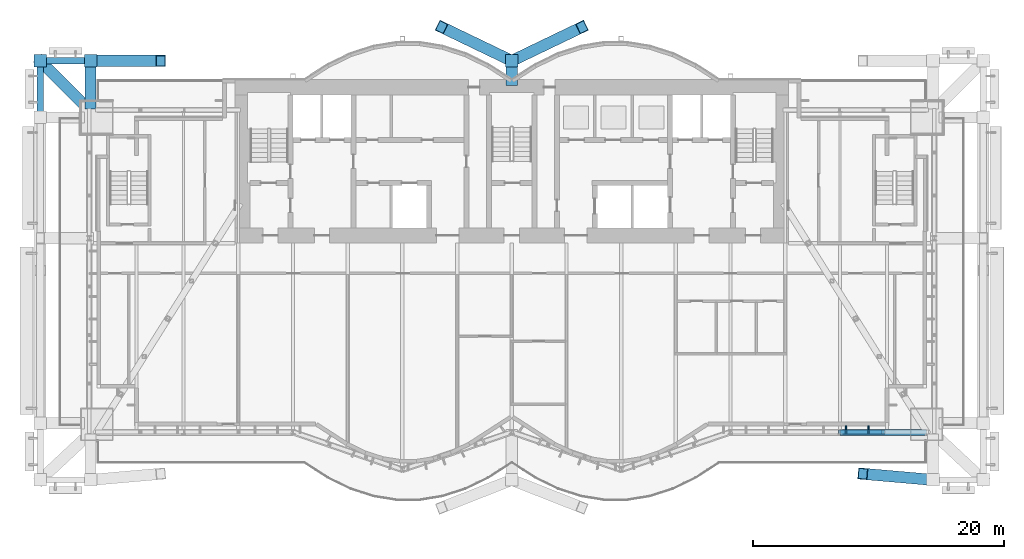
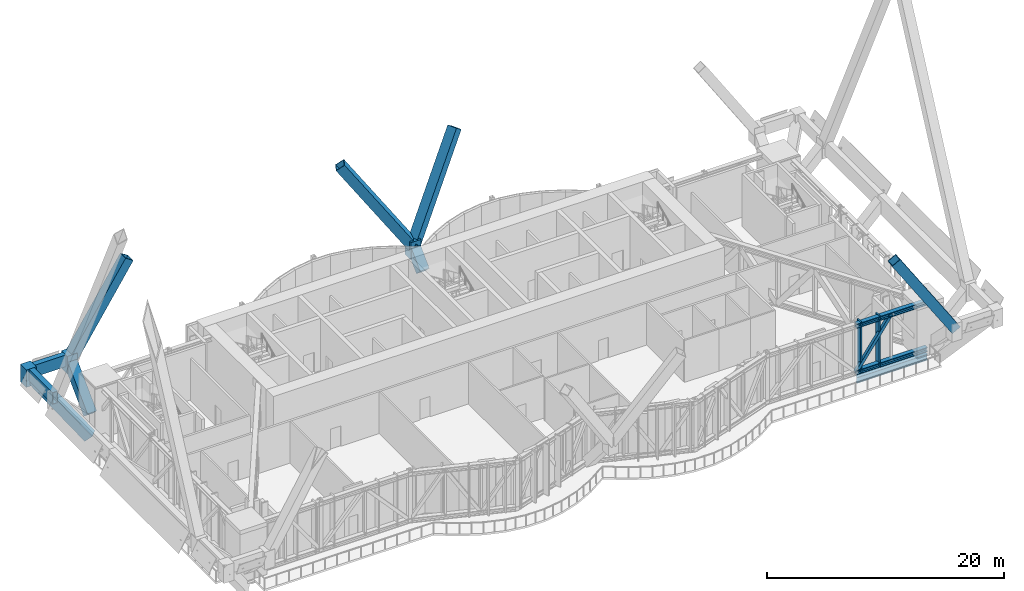
# One storey, part 13 of 31: 15 members, 3 beams, 1 element without a shape of its own.
"""IFC4 building model written with IfcOpenShell, lengths in metres."""

from ifc_helpers import new_model, si_unit, direction, frame, origin, origin_2d, place, context, subcontext, project, spatial, rectangle, hollow_rectangle, i_section, extrude, material, material_profile, profile_set, type_object, element, aggregate, save


model = new_model("IFC4")

# Units and contexts
model_context = context("Model", 3, precision=1e-05, world=origin(), true_north=direction((0.0, 1.0)))
body_context = subcontext(model_context, "Body", "Model", "MODEL_VIEW")
ifc_project = project(units=[si_unit("LENGTHUNIT", "METRE"), si_unit("AREAUNIT", "SQUARE_METRE"), si_unit("VOLUMEUNIT", "CUBIC_METRE"), si_unit("PLANEANGLEUNIT", "RADIAN"), si_unit("MASSUNIT", "GRAM", prefix="KILO")], contexts=[model_context])

# Site, building, storey
site_placement = place(None, origin())
site = spatial("IfcSite", under=ifc_project, at=site_placement, CompositionType="ELEMENT")
building_placement = place(site_placement, origin())
building = spatial("IfcBuilding", under=site, at=building_placement, Name="Bicima Exchange Tower", CompositionType="ELEMENT")
storey_placement = place(building_placement, frame((0.0, 0.0, 236.0)))
storey = spatial("IfcBuildingStorey", under=building, at=storey_placement, Name="L53", CompositionType="ELEMENT", Elevation=236.0)

# Curtain wall, members
ifc_material_1 = material(Name="Anodised bronze aluminium", Category="aluminium")
curtain_wall_type = type_object("IfcCurtainWallType", Name="Band blade screen", PredefinedType="NOTDEFINED", material=ifc_material_1)
curtain_wall_placement = place(storey_placement, origin())
curtain_wall = element("IfcCurtainWall", 1, at=curtain_wall_placement, inside=storey, type_object=curtain_wall_type, Name="Band blade screen L53", PredefinedType="NOTDEFINED")
ifc_material_profile_1 = material_profile(ifc_material_1, rectangle(XDim=0.60009765625, YDim=0.1201171875, at=origin_2d()))
ifc_profile_set_1 = profile_set([ifc_material_profile_1], Name="Anodised bronze aluminium")
member_type_1 = type_object("IfcMemberType", Name="Band blade fin 600 x 120", PredefinedType="USERDEFINED", material=ifc_profile_set_1)
member_1_placement = place(storey_placement, frame((26.587158203125, -27.83203125, 0.0), z_axis=(0.0, 0.0, 1.0), x_axis=(0.0, 1.0, 0.0)))
member_1 = element("IfcMember", 2, at=member_1_placement, type_object=member_type_1, Name="Band blade fin 49", ObjectType="FIN", PredefinedType="USERDEFINED", context=body_context, shape_type="SweptSolid", body=[
    extrude(rectangle(XDim=0.60009765625, YDim=0.1201171875, at=origin_2d()), origin(), (0.0, 0.0, 1.0), 5.25),
])
member_2_placement = place(storey_placement, frame((28.38720703125, -27.83203125, 0.0), z_axis=(0.0, 0.0, 1.0), x_axis=(0.0, 1.0, 0.0)))
member_2 = element("IfcMember", 3, at=member_2_placement, type_object=member_type_1, Name="Band blade fin 50", ObjectType="FIN", PredefinedType="USERDEFINED", context=body_context, shape_type="SweptSolid", body=[
    extrude(rectangle(XDim=0.60009765625, YDim=0.1201171875, at=origin_2d()), origin(), (0.0, 0.0, 1.0), 5.25),
])
aggregate(curtain_wall, [member_1, member_2])

# Beams
ifc_material_2 = material(Name="Steel ASTM A572 Gr 50", Category="steel")
ifc_material_profile_2 = material_profile(ifc_material_2, hollow_rectangle(XDim=0.5, YDim=1.199951171875, WallThickness=0.0400390625, at=origin_2d()))
ifc_profile_set_2 = profile_set([ifc_material_profile_2], Name="Steel ASTM A572 Gr 50")
beam_type_1 = type_object("IfcBeamType", Name="Belt girder BOX 500x1200x40", PredefinedType="BEAM", material=ifc_profile_set_2)
beam_1_placement = place(storey_placement, frame((-33.5, 1.5, 4.64990234375), z_axis=(-1.0, 0.0, 0.0), x_axis=(0.0, -1.0, 0.0)))
element("IfcBeam", 4, at=beam_1_placement, inside=storey, type_object=beam_type_1, Name="Belt girder", PredefinedType="BEAM", context=body_context, shape_type="SweptSolid", body=[
    extrude(hollow_rectangle(XDim=0.5, YDim=1.199951171875, WallThickness=0.0400390625, at=origin_2d()), origin(), (0.0, 0.0, 1.0), 4.0),
])
beam_2_placement = place(storey_placement, frame((-37.5, 1.5, 4.64990234375), z_axis=(0.0, -1.0, 0.0), x_axis=(1.0, 0.0, 0.0)))
element("IfcBeam", 5, at=beam_2_placement, inside=storey, type_object=beam_type_1, Name="Belt girder", PredefinedType="BEAM", context=body_context, shape_type="SweptSolid", body=[
    extrude(hollow_rectangle(XDim=0.5, YDim=1.199951171875, WallThickness=0.0400390625, at=origin_2d()), origin(), (0.0, 0.0, 1.0), 4.5),
])

# Members
ifc_material_3 = material(Name="Steel ASTM A992 Gr 50", Category="steel")
ifc_material_profile_3 = material_profile(ifc_material_3, i_section(OverallWidth=0.419189453125, OverallDepth=0.45458984375, WebThickness=0.042236328125, FlangeThickness=0.067626953125, at=origin_2d()))
ifc_profile_set_3 = profile_set([ifc_material_profile_3], Name="Steel ASTM A992 Gr 50")
member_type_2 = type_object("IfcMemberType", Name="Belt truss chord W14x370", PredefinedType="CHORD", material=ifc_profile_set_3)
for number, where, z_axis, x_axis, name in (
    (6, (26.10009765625, -28.010009765625, 5.022705078125), (1.0, 0.0, 0.0), (0.0, 1.0, 0.0), "Top chord"),
    (7, (26.10009765625, -28.010009765625, 0.227294921875), (1.0, 0.0, 0.0), (0.0, 1.0, 0.0), "Bottom chord"),
):
    element("IfcMember", number, at=place(storey_placement, frame(where, z_axis=z_axis, x_axis=x_axis)), inside=storey, type_object=member_type_2, Name=name, PredefinedType="CHORD", context=body_context, shape_type="SweptSolid", body=[
        extrude(i_section(OverallWidth=0.419189453125, OverallDepth=0.45458984375, WebThickness=0.042236328125, FlangeThickness=0.067626953125, at=origin_2d()), origin(), (0.0, 0.0, 1.0), 6.89990234375),
    ])
ifc_material_profile_4 = material_profile(ifc_material_2, hollow_rectangle(XDim=0.3046875, YDim=0.3046875, WallThickness=0.01171875, at=origin_2d()))
ifc_profile_set_4 = profile_set([ifc_material_profile_4], Name="Steel ASTM A572 Gr 50")
member_type_3 = type_object("IfcMemberType", Name="Belt truss diagonal HSS12x12x1/2", PredefinedType="STRUT", material=ifc_profile_set_4)
member_3_placement = place(storey_placement, frame((26.10009765625, -28.010009765625, 0.227294921875), z_axis=(0.583998756388, 0.0, 0.811754551905), x_axis=(0.0, 1.0, 0.0)))
element("IfcMember", 8, at=member_3_placement, inside=storey, type_object=member_type_3, Name="Truss diagonal", PredefinedType="STRUT", context=body_context, shape_type="SweptSolid", body=[
    extrude(hollow_rectangle(XDim=0.3046875, YDim=0.3046875, WallThickness=0.01171875, at=origin_2d()), origin(), (0.0, 0.0, 1.0), 5.907470703125),
])
ifc_material_profile_5 = material_profile(ifc_material_2, hollow_rectangle(XDim=0.89990234375, YDim=0.89990234375, WallThickness=0.050048828125, at=origin_2d()))
ifc_profile_set_5 = profile_set([ifc_material_profile_5], Name="Steel ASTM A572 Gr 50")
member_type_4 = type_object("IfcMemberType", Name="Exo mega brace BOX 900x900x50", PredefinedType="BRACE", material=ifc_profile_set_5)
member_4_placement = place(storey_placement, frame((-33.5, 1.5, 4.5), z_axis=(0.544521263137, 0.0, 0.838747038142), x_axis=(0.0, 1.0, 0.0)))
element("IfcMember", 9, at=member_4_placement, inside=storey, type_object=member_type_4, Name="Exo mega brace rear", PredefinedType="BRACE", context=body_context, shape_type="SweptSolid", body=[
    extrude(hollow_rectangle(XDim=0.89990234375, YDim=0.89990234375, WallThickness=0.050048828125, at=origin_2d()), origin(), (0.0, 0.0, 1.0), 10.25341796875),
])
member_5_placement = place(storey_placement, frame((0.0, 1.5, 4.5), z_axis=(0.526741126284, 0.253454867009, 0.811359609711), x_axis=(-0.433591692225, 0.901109451972, 0.0)))
element("IfcMember", 10, at=member_5_placement, inside=storey, type_object=member_type_4, Name="Exo mega brace rear", PredefinedType="BRACE", context=body_context, shape_type="SweptSolid", body=[
    extrude(hollow_rectangle(XDim=0.89990234375, YDim=0.89990234375, WallThickness=0.050048828125, at=origin_2d()), origin(), (0.0, 0.0, 1.0), 10.599609375),
])
member_6_placement = place(storey_placement, frame((33.5, -31.82861328125, 4.5), z_axis=(-0.543906122045, 0.04751954313, 0.837799512666), x_axis=(-0.087035637192, -0.996205198671, 0.0)))
element("IfcMember", 11, at=member_6_placement, inside=storey, type_object=member_type_4, Name="Exo mega brace front", PredefinedType="BRACE", context=body_context, shape_type="SweptSolid", body=[
    extrude(hollow_rectangle(XDim=0.89990234375, YDim=0.89990234375, WallThickness=0.050048828125, at=origin_2d()), origin(), (0.0, 0.0, 1.0), 10.26513671875),
])
member_7_placement = place(storey_placement, frame((0.0, 1.5, 4.5), z_axis=(-0.526741126284, 0.253454867009, 0.811359609711), x_axis=(-0.433591692225, -0.901109451972, 0.0)))
element("IfcMember", 12, at=member_7_placement, inside=storey, type_object=member_type_4, Name="Exo mega brace rear", PredefinedType="BRACE", context=body_context, shape_type="SweptSolid", body=[
    extrude(hollow_rectangle(XDim=0.89990234375, YDim=0.89990234375, WallThickness=0.050048828125, at=origin_2d()), origin(), (0.0, 0.0, 1.0), 10.599609375),
])
ifc_material_4 = material(Name="Cast steel ASTM A216 Gr WCB", Category="steel")
ifc_material_profile_6 = material_profile(ifc_material_4, rectangle(XDim=1.0, YDim=1.0, at=origin_2d()))
ifc_profile_set_6 = profile_set([ifc_material_profile_6], Name="Cast steel ASTM A216 Gr WCB")
member_type_5 = type_object("IfcMemberType", Name="Exo node block", PredefinedType="POST", material=ifc_profile_set_6)
for number, where, z_axis, x_axis, name in (
    (13, (0.0, 1.5, 3.449951171875), (0.0, 0.0, 1.0), (1.0, 0.0, 0.0), "Exo node block"),
    (14, (-33.5, 1.5, 3.449951171875), (0.0, 0.0, 1.0), (1.0, 0.0, 0.0), "Exo node block"),
    (15, (-37.5, 1.5, 3.449951171875), (0.0, 0.0, 1.0), (1.0, 0.0, 0.0), "Exo node block"),
):
    element("IfcMember", number, at=place(storey_placement, frame(where, z_axis=z_axis, x_axis=x_axis)), inside=storey, type_object=member_type_5, Name=name, PredefinedType="POST", context=body_context, shape_type="SweptSolid", body=[
        extrude(rectangle(XDim=1.0, YDim=1.0, at=origin_2d()), origin(), (0.0, 0.0, 1.0), 1.800048828125),
    ])
member_type_6 = type_object("IfcMemberType", Name="Exo outrigger stub BOX 900x900x50", PredefinedType="STRUT", material=ifc_profile_set_5)
member_8_placement = place(storey_placement, frame((0.0, -0.14990234375, 2.85009765625), z_axis=(0.0, 0.707106781187, 0.707106781187), x_axis=(-1.0, 0.0, 0.0)))
element("IfcMember", 16, at=member_8_placement, inside=storey, type_object=member_type_6, Name="Exo outrigger stub", PredefinedType="STRUT", context=body_context, shape_type="SweptSolid", body=[
    extrude(hollow_rectangle(XDim=0.89990234375, YDim=0.89990234375, WallThickness=0.050048828125, at=origin_2d()), origin(), (0.0, 0.0, 1.0), 2.333251953125),
])
member_9_placement = place(storey_placement, frame((-33.5, -2.0, 1.0), z_axis=(0.0, 0.707106781187, 0.707106781187), x_axis=(-1.0, 0.0, 0.0)))
element("IfcMember", 17, at=member_9_placement, inside=storey, type_object=member_type_6, Name="Exo outrigger stub", PredefinedType="STRUT", context=body_context, shape_type="SweptSolid", body=[
    extrude(hollow_rectangle(XDim=0.89990234375, YDim=0.89990234375, WallThickness=0.050048828125, at=origin_2d()), origin(), (0.0, 0.0, 1.0), 4.94970703125),
])
member_10_placement = place(storey_placement, frame((-33.70703125, -2.29296875, -1.06396484375), z_axis=(-0.490771835187, 0.490771835187, 0.719920837019), x_axis=(-0.707106781187, -0.707106781187, 0.0)))
element("IfcMember", 18, at=member_10_placement, inside=storey, type_object=member_type_6, Name="Exo outrigger stub", PredefinedType="STRUT", context=body_context, shape_type="SweptSolid", body=[
    extrude(hollow_rectangle(XDim=0.89990234375, YDim=0.89990234375, WallThickness=0.050048828125, at=origin_2d()), origin(), (0.0, 0.0, 1.0), 7.728515625),
])

# Beam
ifc_material_profile_7 = material_profile(ifc_material_3, i_section(OverallWidth=0.3251953125, OverallDepth=0.612060546875, WebThickness=0.0126953125, FlangeThickness=0.01904296875, at=origin_2d()))
ifc_profile_set_7 = profile_set([ifc_material_profile_7], Name="Steel ASTM A992 Gr 50")
beam_type_2 = type_object("IfcBeamType", Name="Front girder W24x104", PredefinedType="BEAM", material=ifc_profile_set_7)
beam_3_placement = place(storey_placement, frame((26.10009765625, -28.132080078125, -0.506103515625), z_axis=(1.0, 0.0, 0.0), x_axis=(0.0, 1.0, 0.0)))
element("IfcBeam", 19, at=beam_3_placement, inside=storey, type_object=beam_type_2, Name="Front girder", PredefinedType="BEAM", context=body_context, shape_type="SweptSolid", body=[
    extrude(i_section(OverallWidth=0.3251953125, OverallDepth=0.612060546875, WebThickness=0.0126953125, FlangeThickness=0.01904296875, at=origin_2d()), origin(), (0.0, 0.0, 1.0), 6.89990234375),
])

save(model, "model.ifc")
